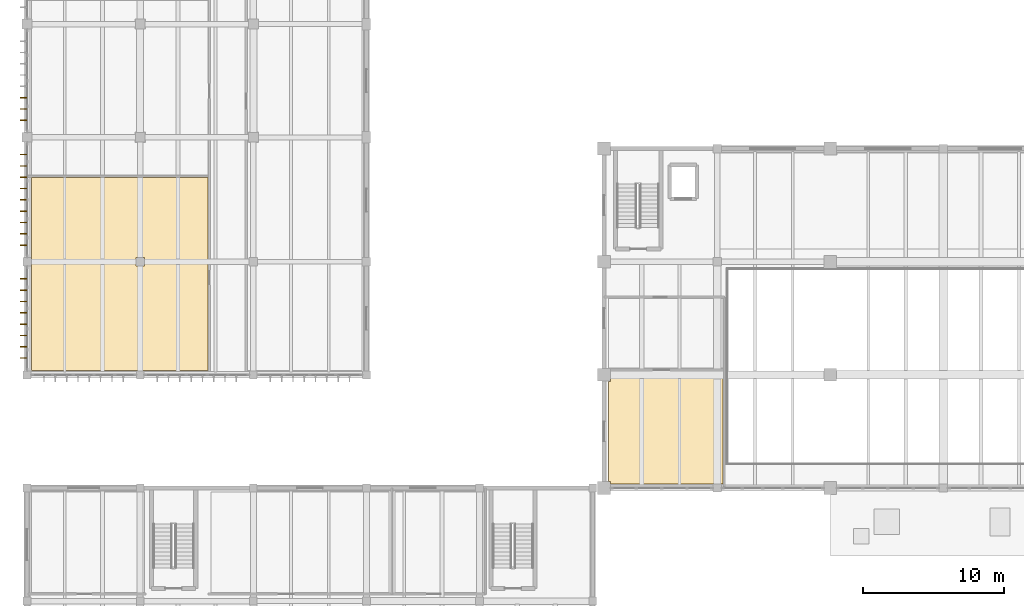
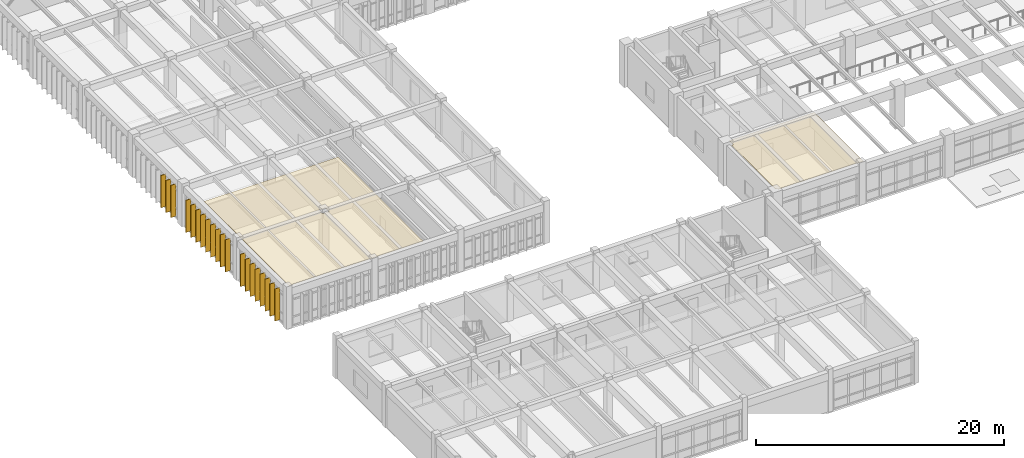
# One storey, part 55 of 67: 20 shading devices, 2 coverings.
"""IFC4 building model written with IfcOpenShell, lengths in metres."""

import ifcopenshell
import ifcopenshell.guid

model = None  # the IFC model being written
_history = None  # IfcOwnerHistory: only IFC2X3 demands one
_inside = {}  # id of a spatial element -> (the spatial element, [elements in it])
_under = {}  # id of a project, library or spatial element -> (it, [spatial elements below it])
_declared = {}  # id of a project -> (the project, [libraries it declares])
_typed = {}  # id of a type object -> (the type object, [elements of that type])
_made_of = {}  # id of a material, layer set ... -> (it, [elements and type objects made of it])


def new_model(schema):
    """Start an empty IFC model of exactly this schema.

    Asked for "IFC4X3", IfcOpenShell would pick the latest addendum, in which some entities
    have other attributes; the version numbers below select the first issue.
    IFC2X3 requires an IfcOwnerHistory on every rooted entity: one is made here for all.
    """
    global model, _history
    if schema == "IFC4X3":
        model = ifcopenshell.file(schema_version=(4, 3, 0, 0))
    else:
        model = ifcopenshell.file(schema=schema)
    _inside.clear()
    _under.clear()
    _declared.clear()
    _typed.clear()
    _made_of.clear()
    _history = None
    if model.schema == "IFC2X3":
        org = make("IfcOrganization", Name="unknown")
        user = make(
            "IfcPersonAndOrganization",
            ThePerson=make("IfcPerson", FamilyName="unknown"),
            TheOrganization=org,
        )
        app = make(
            "IfcApplication",
            ApplicationDeveloper=org,
            Version="unknown",
            ApplicationFullName="unknown",
            ApplicationIdentifier="unknown",
        )
        _history = make(
            "IfcOwnerHistory",
            OwningUser=user,
            OwningApplication=app,
            ChangeAction="ADDED",
            CreationDate=0,
        )
    return model


def make(cls, **values):
    """One entity of the class cls with the attributes given. An attribute that is None is left unset."""
    return model.create_entity(
        cls, **{name: value for name, value in values.items() if value is not None}
    )


def rooted(cls, **values):
    """An entity with a GlobalId (a new one), such as an element, a storey or a relation."""
    return make(cls, GlobalId=ifcopenshell.guid.new(), OwnerHistory=_history, **values)


def si_unit(unit_type, name, prefix=None):
    """IfcSIUnit, for example si_unit("LENGTHUNIT", "METRE", prefix="MILLI")."""
    return make("IfcSIUnit", UnitType=unit_type, Prefix=prefix, Name=name)


def assignment(units):
    """IfcUnitAssignment: the units of a project."""
    return None if units is None else make("IfcUnitAssignment", Units=units)


def point(xyz):
    """IfcCartesianPoint."""
    return None if xyz is None else make("IfcCartesianPoint", Coordinates=xyz)


def direction(xyz):
    """IfcDirection."""
    return None if xyz is None else make("IfcDirection", DirectionRatios=xyz)


def frame(location, z_axis=None, x_axis=None):
    """IfcAxis2Placement3D, a coordinate frame: its origin and axes. An axis left out is left unset."""
    return make(
        "IfcAxis2Placement3D",
        Location=point(location),
        Axis=direction(z_axis),
        RefDirection=direction(x_axis),
    )


def frame_2d(location, x_axis=None):
    """IfcAxis2Placement2D, a coordinate frame in the plane: its origin and x axis."""
    return make(
        "IfcAxis2Placement2D", Location=point(location), RefDirection=direction(x_axis)
    )


def origin():
    """The frame at (0, 0, 0) with its axes left unset."""
    return frame((0.0, 0.0, 0.0))


def origin_2d():
    """The frame at (0, 0) in the plane with its x axis left unset."""
    return frame_2d((0.0, 0.0))


def place(relative_to, where):
    """IfcLocalPlacement: puts the frame where relative to a parent placement (None: the world)."""
    return make(
        "IfcLocalPlacement", PlacementRelTo=relative_to, RelativePlacement=where
    )


def context(
    kind, dimensions, precision=None, world=None, true_north=None, identifier=None
):
    """IfcGeometricRepresentationContext, for example the 3D "Model" context."""
    return make(
        "IfcGeometricRepresentationContext",
        ContextIdentifier=identifier,
        ContextType=kind,
        CoordinateSpaceDimension=dimensions,
        Precision=precision,
        WorldCoordinateSystem=world,
        TrueNorth=true_north,
    )


def subcontext(parent, identifier, kind, view, scale=None):
    """IfcGeometricRepresentationSubContext, for example "Body" below "Model"."""
    return make(
        "IfcGeometricRepresentationSubContext",
        ContextIdentifier=identifier,
        ContextType=kind,
        ParentContext=parent,
        TargetScale=scale,
        TargetView=view,
    )


def project(units=None, contexts=None):
    """IfcProject with its units and contexts."""
    return rooted(
        "IfcProject",
        Name="project",
        RepresentationContexts=contexts,
        UnitsInContext=assignment(units),
    )


def spatial(cls, under=None, at=None, **own):
    """A site, building, storey or space (cls), placed at a placement, below another one or the project."""
    s = rooted(cls, ObjectPlacement=at, **own)
    if under is not None:
        _under.setdefault(under.id(), (under, []))[1].append(s)
    return s


def polyline(points):
    """IfcPolyline through the points."""
    return make("IfcPolyline", Points=[point(p) for p in points])


def profile(cls, at=None, kind="AREA", **sizes):
    """A parametric profile (cls). Its sizes go by their IFC names, for example OverallWidth=200.0."""
    return make(cls, ProfileType=kind, Position=at, **sizes)


def rectangle(**sizes):
    """IfcRectangleProfileDef."""
    return profile("IfcRectangleProfileDef", **sizes)


def outline(outer, holes=None, kind="AREA"):
    """IfcArbitraryClosedProfileDef: a profile drawn as a closed curve; with holes, ...WithVoids."""
    if holes is None:
        return make("IfcArbitraryClosedProfileDef", ProfileType=kind, OuterCurve=outer)
    return make(
        "IfcArbitraryProfileDefWithVoids",
        ProfileType=kind,
        OuterCurve=outer,
        InnerCurves=holes,
    )


def extrude(swept, where, along, depth):
    """IfcExtrudedAreaSolid: the profile swept, set in the frame where, extruded along a direction by depth."""
    return make(
        "IfcExtrudedAreaSolid",
        SweptArea=swept,
        Position=where,
        ExtrudedDirection=direction(along),
        Depth=depth,
    )


def shape(context_of_items, identifier, shape_type, items):
    """IfcShapeRepresentation: the items that make up one representation, for example the "Body"."""
    return make(
        "IfcShapeRepresentation",
        ContextOfItems=context_of_items,
        RepresentationIdentifier=identifier,
        RepresentationType=shape_type,
        Items=items,
    )


def material(Name=None, Category=None):
    """IfcMaterial."""
    return make("IfcMaterial", Name=Name, Category=Category)


def layer(
    of_material, thickness, ventilated=None, Name=None, Category=None, Priority=None
):
    """IfcMaterialLayer: one layer of a wall or slab, of a material (None: an air gap)."""
    return make(
        "IfcMaterialLayer",
        Material=of_material,
        LayerThickness=thickness,
        IsVentilated=ventilated,
        Name=Name,
        Category=Category,
        Priority=Priority,
    )


def layer_set(layers, Name=None):
    """IfcMaterialLayerSet."""
    return make("IfcMaterialLayerSet", MaterialLayers=layers, LayerSetName=Name)


def made_of(thing, what):
    """Note that an element or type object is made of a material, layer set ...; save() writes the relation."""
    if what is not None:
        _made_of.setdefault(what.id(), (what, []))[1].append(thing)
    return thing


def type_object(cls, material=None, **own):
    """A type object (cls), such as IfcWallType, which elements share."""
    return made_of(rooted(cls, **own), material)


def element(
    cls,
    number,
    at=None,
    inside=None,
    cuts=None,
    type_object=None,
    material=None,
    context=None,
    identifier="Body",
    shape_type=None,
    held_by="IfcProductDefinitionShape",
    body=None,
    shapes=None,
    **own,
):
    """One element of the class cls, such as IfcWall. Its Tag is "e" and its number.

    at: its placement. inside: the storey or other place that contains it. cuts: it is an
    opening in that element (IfcRelVoidsElement). A single representation is given by context,
    identifier, shape_type and body (its items); several are given by shapes. held_by: the class
    of the entity that holds the representations. save() writes the other relations.
    """
    e = rooted(cls, Tag="e%d" % number, ObjectPlacement=at, **own)
    if body is not None:
        shapes = [shape(context, identifier, shape_type, body)]
    if shapes is not None:
        e.Representation = make(held_by, Representations=shapes)
    if inside is not None:
        _inside.setdefault(inside.id(), (inside, []))[1].append(e)
    if cuts is not None:
        rooted(
            "IfcRelVoidsElement", RelatingBuildingElement=cuts, RelatedOpeningElement=e
        )
    if type_object is not None:
        _typed.setdefault(type_object.id(), (type_object, []))[1].append(e)
    return made_of(e, material)


def aggregate(whole, parts):
    """IfcRelAggregates: a whole, such as a stair, and the parts it consists of."""
    return rooted("IfcRelAggregates", RelatingObject=whole, RelatedObjects=parts)


def save(model, path):
    """Write the relations noted so far, then the file.

    IfcRelAggregates (storeys below a building ...), IfcRelContainedInSpatialStructure (elements
    in a storey), IfcRelDefinesByType, IfcRelAssociatesMaterial and IfcRelDeclares: one each for
    every whole, place, type object, material and project.
    """
    for whole, parts in _under.values():
        aggregate(whole, parts)
    for where, things in _inside.values():
        rooted(
            "IfcRelContainedInSpatialStructure",
            RelatedElements=things,
            RelatingStructure=where,
        )
    for kind, things in _typed.values():
        rooted("IfcRelDefinesByType", RelatedObjects=things, RelatingType=kind)
    for what, things in _made_of.values():
        rooted("IfcRelAssociatesMaterial", RelatedObjects=things, RelatingMaterial=what)
    for by, libraries in _declared.values():
        rooted("IfcRelDeclares", RelatingContext=by, RelatedDefinitions=libraries)
    model.write(path)


model = new_model("IFC4")

# Units and contexts
model_context = context("Model", 3, precision=1e-05, world=origin(), true_north=direction((0.0, 1.0)))
body_context = subcontext(model_context, "Body", "Model", "MODEL_VIEW")
ifc_project = project(units=[si_unit("LENGTHUNIT", "METRE"), si_unit("AREAUNIT", "SQUARE_METRE"), si_unit("VOLUMEUNIT", "CUBIC_METRE"), si_unit("PLANEANGLEUNIT", "RADIAN"), si_unit("MASSUNIT", "GRAM", prefix="KILO")], contexts=[model_context])

# Site, building, storey
site_placement = place(None, origin())
site = spatial("IfcSite", under=ifc_project, at=site_placement, CompositionType="ELEMENT")
building_placement = place(site_placement, origin())
building = spatial("IfcBuilding", under=site, at=building_placement, Name="Tlaxcora Railside Police Headquarters", CompositionType="ELEMENT")
storey_placement = place(building_placement, frame((0.0, 0.0, 4.800048828125)))
storey = spatial("IfcBuildingStorey", under=building, at=storey_placement, Name="L01", CompositionType="ELEMENT", Elevation=4.800048828125)

# Coverings
ifc_material_1 = material(Name="Mineral-fibre acoustic ceiling tile")
ifc_layer_1 = layer(ifc_material_1, 0.034912109375, Name="Mineral-fibre acoustic ceiling tile")
ifc_layer_set_1 = layer_set([ifc_layer_1], Name="Mineral-fibre acoustic ceiling tile")
covering_type = type_object("IfcCoveringType", Name="Acoustic Suspended Ceiling CLG-01", PredefinedType="CEILING", material=ifc_layer_set_1)
covering_1_placement = place(storey_placement, frame((0.0, 0.0, 3.764892578125)))
element("IfcCovering", 1, at=covering_1_placement, inside=storey, type_object=covering_type, Name="Background Check and Fingerprinting Counter suspended ceiling", PredefinedType="CEILING", context=body_context, shape_type="SweptSolid", body=[
    extrude(outline(polyline([(54.39990234375, 44.199951171875), (46.4599609375, 44.199951171875), (46.4599609375, 43.5400390625), (46.300048828125, 43.5400390625), (46.300048828125, 36.4599609375), (46.4599609375, 36.4599609375), (46.4599609375, 36.300048828125), (53.68994140625, 36.300048828125), (53.68994140625, 36.31005859375), (54.31005859375, 36.31005859375), (54.31005859375, 36.300048828125), (54.39990234375, 36.300048828125), (54.39990234375, 44.199951171875)])), origin(), (0.0, 0.0, 1.0), 0.03515625),
])
covering_2_placement = place(storey_placement, frame((0.0, 0.0, 3.764892578125)))
element("IfcCovering", 2, at=covering_2_placement, inside=storey, type_object=covering_type, Name="Missing Persons Investigation Unit suspended ceiling", PredefinedType="CEILING", context=body_context, shape_type="SweptSolid", body=[
    extrude(outline(polyline([(5.5, 51.68994140625), (5.5, 44.300048828125), (18.0, 44.300048828125), (18.0, 57.969970703125), (5.5, 57.969970703125), (5.5, 52.31005859375), (5.510009765625, 52.31005859375), (5.510009765625, 51.68994140625), (5.5, 51.68994140625)]), holes=[polyline([(13.510009765625, 51.68994140625), (12.889892578125, 51.68994140625), (12.889892578125, 52.31005859375), (13.510009765625, 52.31005859375), (13.510009765625, 51.68994140625)])]), origin(), (0.0, 0.0, 1.0), 0.03515625),
])

# Shading devices
ifc_material_2 = material(Name="Anodised aluminium framing", Category="aluminium")
ifc_layer_2 = layer(ifc_material_2, 0.054931640625, Name="Anodised aluminium framing")
ifc_layer_set_2 = layer_set([ifc_layer_2], Name="Anodised aluminium framing")
shading_device_type = type_object("IfcShadingDeviceType", Name="Solar Control Fin SF-01", PredefinedType="JALOUSIE", material=ifc_layer_set_2)
for number, where, z_axis, x_axis, name in (
    (3, (4.93994140625, 63.60009765625, 0.0400390625), (0.0, 0.0, 1.0), (-1.0, 0.0, 0.0), "Vertical solar fin 119"),
    (4, (4.93994140625, 62.800048828125, 0.0400390625), (0.0, 0.0, 1.0), (-1.0, 0.0, 0.0), "Vertical solar fin 120"),
    (5, (4.93994140625, 62.0, 0.0400390625), (0.0, 0.0, 1.0), (-1.0, 0.0, 0.0), "Vertical solar fin 121"),
    (6, (4.93994140625, 59.574951171875, 0.0400390625), (0.0, 0.0, 1.0), (-1.0, 0.0, 0.0), "Vertical solar fin 122"),
    (7, (4.93994140625, 58.77490234375, 0.0400390625), (0.0, 0.0, 1.0), (-1.0, 0.0, 0.0), "Vertical solar fin 123"),
    (8, (4.93994140625, 57.97509765625, 0.0400390625), (0.0, 0.0, 1.0), (-1.0, 0.0, 0.0), "Vertical solar fin 124"),
    (9, (4.93994140625, 57.175048828125, 0.0400390625), (0.0, 0.0, 1.0), (-1.0, 0.0, 0.0), "Vertical solar fin 125"),
    (10, (4.93994140625, 56.375, 0.0400390625), (0.0, 0.0, 1.0), (-1.0, 0.0, 0.0), "Vertical solar fin 126"),
    (11, (4.93994140625, 55.574951171875, 0.0400390625), (0.0, 0.0, 1.0), (-1.0, 0.0, 0.0), "Vertical solar fin 127"),
    (12, (4.93994140625, 54.77490234375, 0.0400390625), (0.0, 0.0, 1.0), (-1.0, 0.0, 0.0), "Vertical solar fin 128"),
    (13, (4.93994140625, 53.97509765625, 0.0400390625), (0.0, 0.0, 1.0), (-1.0, 0.0, 0.0), "Vertical solar fin 129"),
    (14, (4.93994140625, 53.175048828125, 0.0400390625), (0.0, 0.0, 1.0), (-1.0, 0.0, 0.0), "Vertical solar fin 130"),
    (15, (4.93994140625, 50.78759765625, 0.0400390625), (0.0, 0.0, 1.0), (-1.0, 0.0, 0.0), "Vertical solar fin 131"),
    (16, (4.93994140625, 49.987548828125, 0.0400390625), (0.0, 0.0, 1.0), (-1.0, 0.0, 0.0), "Vertical solar fin 132"),
    (17, (4.93994140625, 49.1875, 0.0400390625), (0.0, 0.0, 1.0), (-1.0, 0.0, 0.0), "Vertical solar fin 133"),
    (18, (4.93994140625, 48.387451171875, 0.0400390625), (0.0, 0.0, 1.0), (-1.0, 0.0, 0.0), "Vertical solar fin 134"),
    (19, (4.93994140625, 47.58740234375, 0.0400390625), (0.0, 0.0, 1.0), (-1.0, 0.0, 0.0), "Vertical solar fin 135"),
    (20, (4.93994140625, 46.78759765625, 0.0400390625), (0.0, 0.0, 1.0), (-1.0, 0.0, 0.0), "Vertical solar fin 136"),
    (21, (4.93994140625, 45.987548828125, 0.0400390625), (0.0, 0.0, 1.0), (-1.0, 0.0, 0.0), "Vertical solar fin 137"),
    (22, (4.93994140625, 45.1875, 0.0400390625), (0.0, 0.0, 1.0), (-1.0, 0.0, 0.0), "Vertical solar fin 138"),
):
    element("IfcShadingDevice", number, at=place(storey_placement, frame(where, z_axis=z_axis, x_axis=x_axis)), inside=storey, type_object=shading_device_type, Name=name, PredefinedType="JALOUSIE", context=body_context, shape_type="SweptSolid", body=[
        extrude(rectangle(XDim=0.47998046875, YDim=0.054931640625, at=origin_2d()), origin(), (0.0, 0.0, 1.0), 3.179931640625),
    ])

save(model, "model.ifc")
